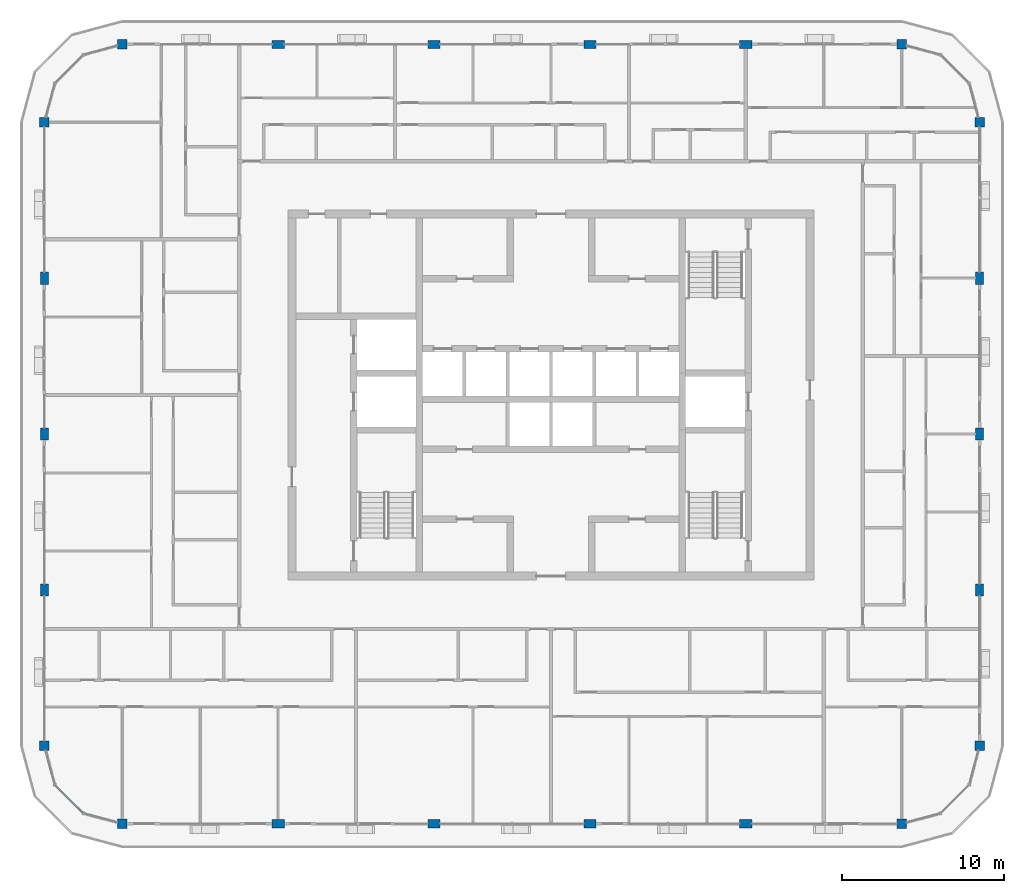
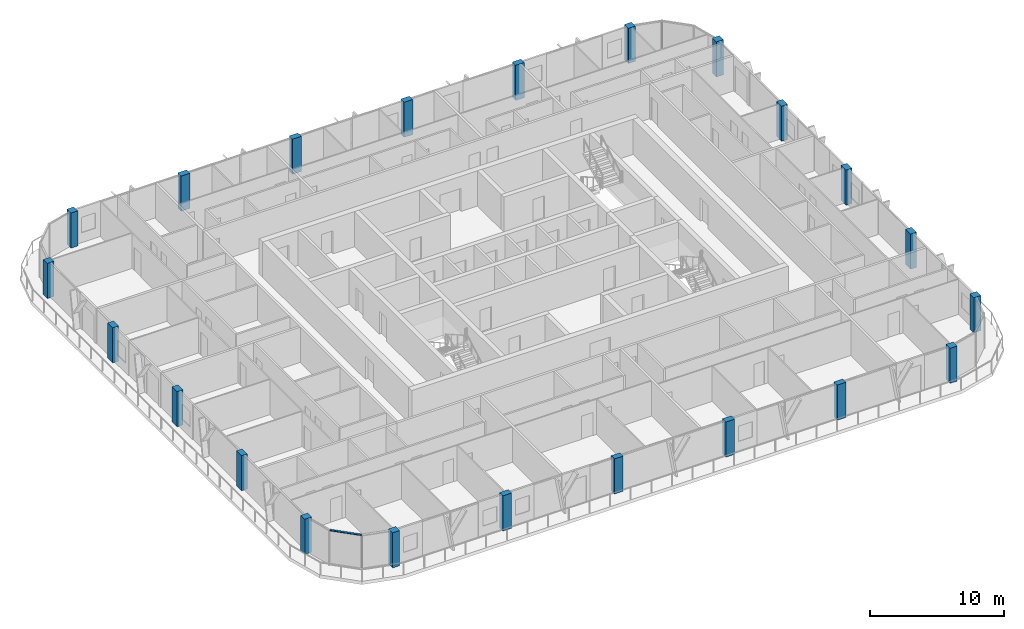
# One storey, part 1 of 21: 22 columns, 1 member, 1 element without a shape of its own.
"""IFC4 building model written with IfcOpenShell, lengths in metres."""

from ifc_helpers import new_model, si_unit, direction, frame, origin, origin_2d, place, context, subcontext, project, spatial, rectangle, extrude, material, layer, layer_set, material_profile, profile_set, type_object, element, aggregate, save


model = new_model("IFC4")

# Units and contexts
model_context = context("Model", 3, precision=1e-05, world=origin(), true_north=direction((0.0, 1.0)))
body_context = subcontext(model_context, "Body", "Model", "MODEL_VIEW")
ifc_project = project(units=[si_unit("LENGTHUNIT", "METRE"), si_unit("AREAUNIT", "SQUARE_METRE"), si_unit("VOLUMEUNIT", "CUBIC_METRE"), si_unit("PLANEANGLEUNIT", "RADIAN"), si_unit("MASSUNIT", "GRAM", prefix="KILO")], contexts=[model_context])

# Site, building, storey
site_placement = place(None, origin())
site = spatial("IfcSite", under=ifc_project, at=site_placement, CompositionType="ELEMENT")
building_placement = place(site_placement, origin())
building = spatial("IfcBuilding", under=site, at=building_placement, Name="Madar Terraces", CompositionType="ELEMENT")
storey_placement = place(building_placement, frame((0.0, 0.0, 275.60009765625)))
storey = spatial("IfcBuildingStorey", under=building, at=storey_placement, Name="L72", CompositionType="ELEMENT", Elevation=275.60009765625)

# Columns
ifc_material_1 = material(Name="Concrete C50/60", Category="concrete")
ifc_material_profile_1 = material_profile(ifc_material_1, rectangle(XDim=0.75, YDim=0.5, at=origin_2d()), Name="CC6 RC 750x500")
ifc_profile_set_1 = profile_set([ifc_material_profile_1], Name="Concrete C50/60")
column_type_1 = type_object("IfcColumnType", Name="CC6 RC 750x500", PredefinedType="COLUMN", material=ifc_profile_set_1)
for number, where, z_axis, x_axis, name in (
    (1, (14.39990234375, 0.0, 0.0), (0.0, 0.0, 1.0), (1.0, 0.0, 0.0), "Perimeter column S2"),
    (2, (24.0, 0.0, 0.0), (0.0, 0.0, 1.0), (1.0, 0.0, 0.0), "Perimeter column S3"),
    (3, (33.60009765625, 0.0, 0.0), (0.0, 0.0, 1.0), (1.0, 0.0, 0.0), "Perimeter column S4"),
    (4, (43.199951171875, 0.0, 0.0), (0.0, 0.0, 1.0), (1.0, 0.0, 0.0), "Perimeter column S5"),
    (5, (57.60009765625, 14.39990234375, 0.0), (0.0, 0.0, 1.0), (0.0, 1.0, 0.0), "Perimeter column E2"),
    (6, (57.60009765625, 24.0, 0.0), (0.0, 0.0, 1.0), (0.0, 1.0, 0.0), "Perimeter column E3"),
    (7, (57.60009765625, 33.60009765625, 0.0), (0.0, 0.0, 1.0), (0.0, 1.0, 0.0), "Perimeter column E4"),
    (8, (43.199951171875, 48.0, 0.0), (0.0, 0.0, 1.0), (1.0, 0.0, 0.0), "Perimeter column N2"),
    (9, (33.60009765625, 48.0, 0.0), (0.0, 0.0, 1.0), (1.0, 0.0, 0.0), "Perimeter column N3"),
    (10, (24.0, 48.0, 0.0), (0.0, 0.0, 1.0), (1.0, 0.0, 0.0), "Perimeter column N4"),
    (11, (14.39990234375, 48.0, 0.0), (0.0, 0.0, 1.0), (1.0, 0.0, 0.0), "Perimeter column N5"),
    (12, (0.0, 33.60009765625, 0.0), (0.0, 0.0, 1.0), (0.0, 1.0, 0.0), "Perimeter column W2"),
    (13, (0.0, 24.0, 0.0), (0.0, 0.0, 1.0), (0.0, 1.0, 0.0), "Perimeter column W3"),
    (14, (0.0, 14.39990234375, 0.0), (0.0, 0.0, 1.0), (0.0, 1.0, 0.0), "Perimeter column W4"),
):
    element("IfcColumn", number, at=place(storey_placement, frame(where, z_axis=z_axis, x_axis=x_axis)), inside=storey, type_object=column_type_1, Name=name, PredefinedType="COLUMN", context=body_context, shape_type="SweptSolid", body=[
        extrude(rectangle(XDim=0.75, YDim=0.5, at=origin_2d()), origin(), (0.0, 0.0, 1.0), 3.199951171875),
    ])
ifc_material_2 = material(Name="Concrete C50/60", Category="concrete")
ifc_material_profile_2 = material_profile(ifc_material_2, rectangle(XDim=0.60009765625, YDim=0.60009765625, at=origin_2d()), Name="KC6 RC 600x600")
ifc_profile_set_2 = profile_set([ifc_material_profile_2], Name="Concrete C50/60")
column_type_2 = type_object("IfcColumnType", Name="KC6 RC 600x600", PredefinedType="COLUMN", material=ifc_profile_set_2)
for number, where, z_axis, x_axis, name in (
    (15, (4.800048828125, 0.0, 0.0), (0.0, 0.0, 1.0), (1.0, 0.0, 0.0), "Perimeter column S1"),
    (16, (52.800048828125, 0.0, 0.0), (0.0, 0.0, 1.0), (1.0, 0.0, 0.0), "Perimeter column S6"),
    (17, (57.60009765625, 4.800048828125, 0.0), (0.0, 0.0, 1.0), (1.0, 0.0, 0.0), "Perimeter column E1"),
    (18, (57.60009765625, 43.199951171875, 0.0), (0.0, 0.0, 1.0), (1.0, 0.0, 0.0), "Perimeter column E5"),
    (19, (52.800048828125, 48.0, 0.0), (0.0, 0.0, 1.0), (1.0, 0.0, 0.0), "Perimeter column N1"),
    (20, (4.800048828125, 48.0, 0.0), (0.0, 0.0, 1.0), (1.0, 0.0, 0.0), "Perimeter column N6"),
    (21, (0.0, 43.199951171875, 0.0), (0.0, 0.0, 1.0), (1.0, 0.0, 0.0), "Perimeter column W1"),
    (22, (0.0, 4.800048828125, 0.0), (0.0, 0.0, 1.0), (1.0, 0.0, 0.0), "Perimeter column W5"),
):
    element("IfcColumn", number, at=place(storey_placement, frame(where, z_axis=z_axis, x_axis=x_axis)), inside=storey, type_object=column_type_2, Name=name, PredefinedType="COLUMN", context=body_context, shape_type="SweptSolid", body=[
        extrude(rectangle(XDim=0.60009765625, YDim=0.60009765625, at=origin_2d()), origin(), (0.0, 0.0, 1.0), 3.199951171875),
    ])

# Curtain wall, member
ifc_material_3 = material(Name="Glass, ceramic frit dark grey, with black aluminium frame", Category="aluminium")
ifc_layer = layer(ifc_material_3, 0.199951171875)
ifc_layer_set = layer_set([ifc_layer], Name="Facade curtain wall, fritted glass")
curtain_wall_type = type_object("IfcCurtainWallType", Name="Facade curtain wall, fritted glass", PredefinedType="NOTDEFINED", material=ifc_layer_set)
curtain_wall_placement = place(storey_placement, origin())
curtain_wall = element("IfcCurtainWall", 23, at=curtain_wall_placement, inside=storey, type_object=curtain_wall_type, Name="Outer skin curtain wall south-west corner", PredefinedType="NOTDEFINED")
ifc_material_4 = material(Name="Aluminium, black anodised", Category="aluminium")
ifc_material_profile_3 = material_profile(ifc_material_4, rectangle(XDim=0.1201171875, YDim=0.06005859375, at=origin_2d()), Name="Facade transom 60x120")
ifc_profile_set_3 = profile_set([ifc_material_profile_3], Name="Aluminium, black anodised")
member_type = type_object("IfcMemberType", Name="Facade transom 60x120", PredefinedType="USERDEFINED", material=ifc_profile_set_3)
member_placement = place(storey_placement, frame((0.664306640625, 2.37890625, 3.169921875), z_axis=(0.707106781187, -0.707106781187, 0.0), x_axis=(0.707106781187, 0.707106781187, 0.0)))
member = element("IfcMember", 24, at=member_placement, type_object=member_type, Name="Transom 2", ObjectType="TRANSOM", PredefinedType="USERDEFINED", context=body_context, shape_type="SweptSolid", body=[
    extrude(rectangle(XDim=0.1201171875, YDim=0.06005859375, at=origin_2d()), origin(), (0.0, 0.0, 1.0), 2.4248046875),
])
aggregate(curtain_wall, [member])

save(model, "model.ifc")
